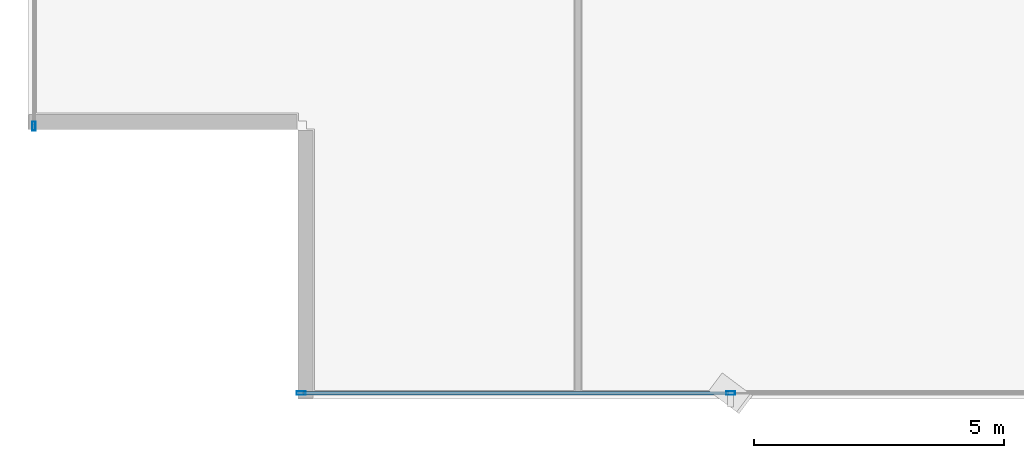
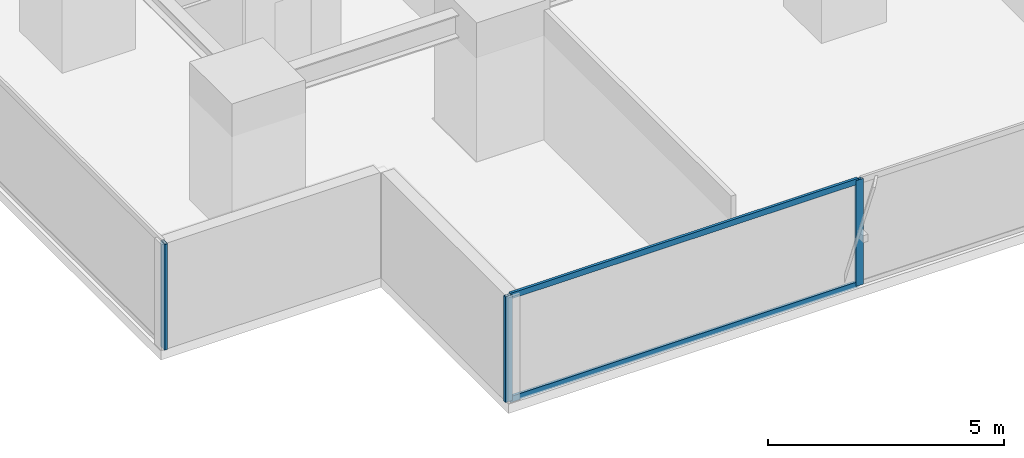
# One storey, part 2 of 33: 5 members, 2 elements without a shape of their own.
"""IFC4 building model written with IfcOpenShell, lengths in metres."""

from ifc_helpers import new_model, si_unit, direction, frame, origin, origin_2d, place, context, subcontext, project, spatial, hollow_rectangle, extrude, source, transform, mapped, material, layer, layer_set, material_profile, profile_set, type_object, element, aggregate, save


model = new_model("IFC4")

# Units and contexts
model_context = context("Model", 3, precision=1e-05, world=origin(), true_north=direction((0.0, 1.0)))
body_context = subcontext(model_context, "Body", "Model", "MODEL_VIEW")
ifc_project = project(units=[si_unit("LENGTHUNIT", "METRE"), si_unit("AREAUNIT", "SQUARE_METRE"), si_unit("VOLUMEUNIT", "CUBIC_METRE"), si_unit("PLANEANGLEUNIT", "RADIAN"), si_unit("MASSUNIT", "GRAM", prefix="KILO")], contexts=[model_context])

# Site, building, storey
site_placement = place(None, origin())
site = spatial("IfcSite", under=ifc_project, at=site_placement, CompositionType="ELEMENT")
building_placement = place(site_placement, origin())
building = spatial("IfcBuilding", under=site, at=building_placement, Name="Sumidabori Civic Tower", CompositionType="ELEMENT")
storey_placement = place(building_placement, frame((0.0, 0.0, 23.60009765625)))
storey = spatial("IfcBuildingStorey", under=building, at=storey_placement, Name="L05", CompositionType="ELEMENT", Elevation=23.60009765625)

# Curtain wall, members
ifc_material = material(Name="Anodised Bronze Aluminium AW-6063-T6", Category="aluminium")
ifc_layer = layer(ifc_material, 0.179931640625, Name="Anodised Bronze Aluminium AW-6063-T6")
ifc_layer_set = layer_set([ifc_layer], Name="Anodised Bronze Aluminium AW-6063-T6")
curtain_wall_type = type_object("IfcCurtainWallType", Name="CW-SYS-2", PredefinedType="NOTDEFINED", material=ifc_layer_set)
curtain_wall_1_placement = place(storey_placement, origin())
curtain_wall_1 = element("IfcCurtainWall", 1, at=curtain_wall_1_placement, inside=storey, type_object=curtain_wall_type, Name="Curtain Wall CW:L05:R01", PredefinedType="NOTDEFINED")
ifc_material_profile_1 = material_profile(ifc_material, hollow_rectangle(XDim=0.070068359375, YDim=0.179931640625, WallThickness=0.006103515625, at=origin_2d()), Name="ALU MULLION 180x70")
ifc_profile_set_1 = profile_set([ifc_material_profile_1], Name="Anodised Bronze Aluminium AW-6063-T6")
member_type_1 = type_object("IfcMemberType", Name="CW-MUL-180", PredefinedType="MULLION", material=ifc_profile_set_1)
shared_shape_1 = source(origin(), body_context, "Body", "SweptSolid", [
    extrude(hollow_rectangle(XDim=0.070068359375, YDim=0.179931640625, WallThickness=0.006103515625, at=origin_2d()), origin(), (0.0, 0.0, 1.0), 2.739990234375),
])
member_1_placement = place(storey_placement, frame((-21.534912109375, -26.8798828125, 0.0), z_axis=(0.0, 0.0, 1.0), x_axis=(0.0, 1.0, 0.0)))
member_1 = element("IfcMember", 2, at=member_1_placement, type_object=member_type_1, Name="CW-2 mullion 1", PredefinedType="MULLION", context=body_context, shape_type="MappedRepresentation", body=[
    mapped(shared_shape_1, transform((0.0, 0.0, 0.0), x_axis=(1.0, 0.0, 0.0), y_axis=(0.0, 1.0, 0.0), z_axis=(0.0, 0.0, 1.0), scale=1.0)),
])
member_2_placement = place(storey_placement, frame((-12.94189453125, -26.8798828125, 0.0), z_axis=(0.0, 0.0, 1.0), x_axis=(0.0, 1.0, 0.0)))
member_2 = element("IfcMember", 3, at=member_2_placement, type_object=member_type_1, Name="CW-2 mullion 2", PredefinedType="MULLION", context=body_context, shape_type="MappedRepresentation", body=[
    mapped(shared_shape_1, transform((0.0, 0.0, 0.0), x_axis=(1.0, 0.0, 0.0), y_axis=(0.0, 1.0, 0.0), z_axis=(0.0, 0.0, 1.0), scale=1.0)),
])

# Curtain wall, member
curtain_wall_2_placement = place(storey_placement, origin())
curtain_wall_2 = element("IfcCurtainWall", 4, at=curtain_wall_2_placement, inside=storey, type_object=curtain_wall_type, Name="Curtain Wall CW:L05:R11", PredefinedType="NOTDEFINED")
member_3_placement = place(storey_placement, frame((-26.8798828125, -21.534912109375, 0.0), z_axis=(0.0, 0.0, 1.0), x_axis=(1.0, 0.0, 0.0)))
member_3 = element("IfcMember", 5, at=member_3_placement, type_object=member_type_1, Name="CW-2 mullion 6", PredefinedType="MULLION", context=body_context, shape_type="MappedRepresentation", body=[
    mapped(shared_shape_1, transform((0.0, 0.0, 0.0), x_axis=(1.0, 0.0, 0.0), y_axis=(0.0, 1.0, 0.0), z_axis=(0.0, 0.0, 1.0), scale=1.0)),
])
aggregate(curtain_wall_2, [member_3])

# Member
ifc_material_profile_2 = material_profile(ifc_material, hollow_rectangle(XDim=0.06494140625, YDim=0.14990234375, WallThickness=0.0048828125, at=origin_2d()), Name="ALU TRANSOM 150x65")
ifc_profile_set_2 = profile_set([ifc_material_profile_2], Name="Anodised Bronze Aluminium AW-6063-T6")
member_type_2 = type_object("IfcMemberType", Name="CW-TRN-150", PredefinedType="USERDEFINED", material=ifc_profile_set_2)
shared_shape_2 = source(origin(), body_context, "Body", "SweptSolid", [
    extrude(hollow_rectangle(XDim=0.06494140625, YDim=0.14990234375, WallThickness=0.0048828125, at=origin_2d()), origin(), (0.0, 0.0, 1.0), 8.52294921875),
])
member_4_placement = place(storey_placement, frame((-21.5, -26.8798828125, 0.032470703125), z_axis=(1.0, 0.0, 0.0), x_axis=(0.0, 1.0, 0.0)))
member_4 = element("IfcMember", 6, at=member_4_placement, type_object=member_type_2, Name="CW-2 transom 1.1", ObjectType="TRANSOM", PredefinedType="USERDEFINED", context=body_context, shape_type="MappedRepresentation", body=[
    mapped(shared_shape_2, transform((0.0, 0.0, 0.0), x_axis=(1.0, 0.0, 0.0), y_axis=(0.0, 1.0, 0.0), z_axis=(0.0, 0.0, 1.0), scale=1.0)),
])

member_5_placement = place(storey_placement, frame((-21.5, -26.8798828125, 2.70751953125), z_axis=(1.0, 0.0, 0.0), x_axis=(0.0, 1.0, 0.0)))
member_5 = element("IfcMember", 7, at=member_5_placement, type_object=member_type_2, Name="CW-2 transom 1.2", ObjectType="TRANSOM", PredefinedType="USERDEFINED", context=body_context, shape_type="MappedRepresentation", body=[
    mapped(shared_shape_2, transform((0.0, 0.0, 0.0), x_axis=(1.0, 0.0, 0.0), y_axis=(0.0, 1.0, 0.0), z_axis=(0.0, 0.0, 1.0), scale=1.0)),
])

aggregate(curtain_wall_1, [member_1, member_2, member_4, member_5])

save(model, "model.ifc")
